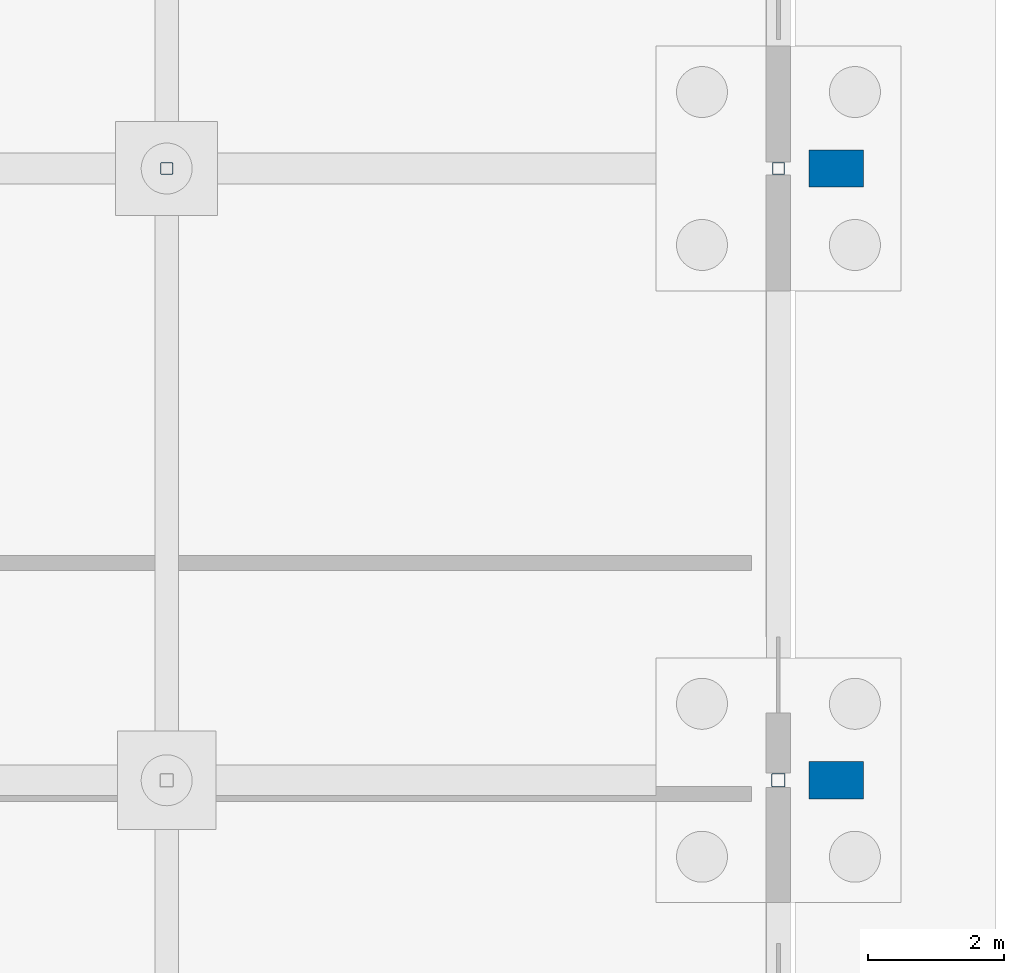
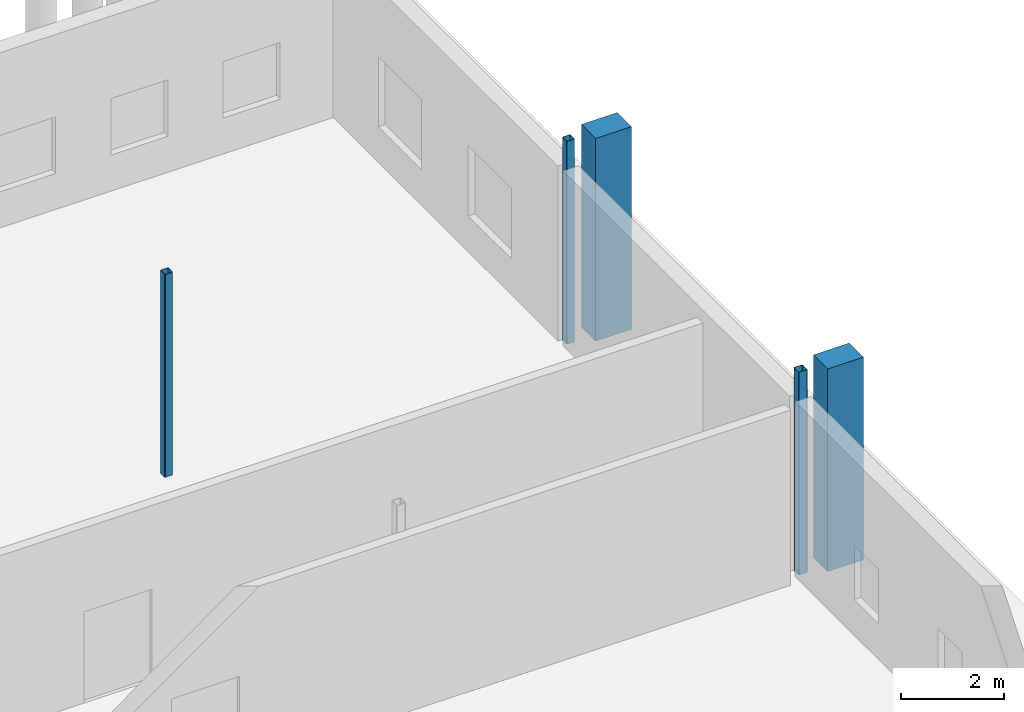
# One storey, part 41 of 112: 5 columns.
"""IFC4 building model written with IfcOpenShell, lengths in metres."""

from ifc_helpers import new_model, si_unit, direction, frame, origin, origin_2d, place, context, subcontext, project, spatial, rectangle, hollow_rectangle, extrude, material, material_profile, profile_set, type_object, element, save


model = new_model("IFC4")

# Units and contexts
model_context = context("Model", 3, precision=1e-05, world=origin(), true_north=direction((0.0, 1.0)))
body_context = subcontext(model_context, "Body", "Model", "MODEL_VIEW")
ifc_project = project(units=[si_unit("LENGTHUNIT", "METRE"), si_unit("AREAUNIT", "SQUARE_METRE"), si_unit("VOLUMEUNIT", "CUBIC_METRE"), si_unit("PLANEANGLEUNIT", "RADIAN"), si_unit("MASSUNIT", "GRAM", prefix="KILO")], contexts=[model_context])

# Site, building, storey
site_placement = place(None, origin())
site = spatial("IfcSite", under=ifc_project, at=site_placement, CompositionType="ELEMENT")
building_placement = place(site_placement, origin())
building = spatial("IfcBuilding", under=site, at=building_placement, Name="Tharagai Park Tramway Depot", CompositionType="ELEMENT")
storey_placement = place(building_placement, origin())
storey = spatial("IfcBuildingStorey", under=building, at=storey_placement, Name="L00", CompositionType="ELEMENT", Elevation=0.0)

# Columns
ifc_material_1 = material(Name="Steel E350", Category="steel")
ifc_material_profile_1 = material_profile(ifc_material_1, hollow_rectangle(XDim=0.179931640625, YDim=0.179931640625, WallThickness=0.008056640625, InnerFilletRadius=0.008056640625, OuterFilletRadius=0.01611328125, at=origin_2d()), Name="SHS 180x180x8")
ifc_profile_set_1 = profile_set([ifc_material_profile_1], Name="Steel E350")
column_type_1 = type_object("IfcColumnType", Name="CL-04", PredefinedType="COLUMN", material=ifc_profile_set_1)
for number, where, z_axis, x_axis, name in (
    (1, (207.0, 72.0, 0.0), (0.0, 0.0, 1.0), (1.0, 0.0, 0.0), "L00 Structural Column CL-04 (207,72)"),
    (2, (216.0, 72.0, 0.0), (0.0, 0.0, 1.0), (1.0, 0.0, 0.0), "L00 Structural Column CL-04 (216,72)"),
):
    element("IfcColumn", number, at=place(storey_placement, frame(where, z_axis=z_axis, x_axis=x_axis)), inside=storey, type_object=column_type_1, Name=name, PredefinedType="COLUMN", context=body_context, shape_type="SweptSolid", body=[
        extrude(hollow_rectangle(XDim=0.179931640625, YDim=0.179931640625, WallThickness=0.008056640625, InnerFilletRadius=0.008056640625, OuterFilletRadius=0.01611328125, at=origin_2d()), origin(), (0.0, 0.0, 1.0), 4.800048828125),
    ])
ifc_material_profile_2 = material_profile(ifc_material_1, hollow_rectangle(XDim=0.199951171875, YDim=0.199951171875, WallThickness=0.008056640625, InnerFilletRadius=0.008056640625, OuterFilletRadius=0.01611328125, at=origin_2d()), Name="SHS 200x200x8")
ifc_profile_set_2 = profile_set([ifc_material_profile_2], Name="Steel E350")
column_type_2 = type_object("IfcColumnType", Name="CL-11", PredefinedType="COLUMN", material=ifc_profile_set_2)
column_placement = place(storey_placement, frame((216.0, 63.0, 0.0), z_axis=(0.0, 0.0, 1.0), x_axis=(1.0, 0.0, 0.0)))
element("IfcColumn", 3, at=column_placement, inside=storey, type_object=column_type_2, Name="L00 Structural Column CL-11 (216,63)", PredefinedType="COLUMN", context=body_context, shape_type="SweptSolid", body=[
    extrude(hollow_rectangle(XDim=0.199951171875, YDim=0.199951171875, WallThickness=0.008056640625, InnerFilletRadius=0.008056640625, OuterFilletRadius=0.01611328125, at=origin_2d()), origin(), (0.0, 0.0, 1.0), 4.800048828125),
])
ifc_material_2 = material(Name="Concrete M40", Category="concrete")
ifc_material_profile_3 = material_profile(ifc_material_2, rectangle(XDim=0.550048828125, YDim=0.800048828125, at=origin_2d()), Name="RC 550x800")
ifc_profile_set_3 = profile_set([ifc_material_profile_3], Name="Concrete M40")
column_type_3 = type_object("IfcColumnType", Name="PL-02", PredefinedType="PILASTER", material=ifc_profile_set_3)
for number, where, z_axis, x_axis, name in (
    (4, (216.85009765625, 63.0, 0.0), (0.0, 0.0, 1.0), (0.0, 1.0, 0.0), "L00 Stepped Gothic Buttress PL-02 E-063"),
    (5, (216.85009765625, 72.0, 0.0), (0.0, 0.0, 1.0), (0.0, 1.0, 0.0), "L00 Stepped Gothic Buttress PL-02 E-072"),
):
    element("IfcColumn", number, at=place(storey_placement, frame(where, z_axis=z_axis, x_axis=x_axis)), inside=storey, type_object=column_type_3, Name=name, PredefinedType="PILASTER", context=body_context, shape_type="SweptSolid", body=[
        extrude(rectangle(XDim=0.550048828125, YDim=0.800048828125, at=origin_2d()), origin(), (0.0, 0.0, 1.0), 4.800048828125),
    ])

save(model, "model.ifc")
